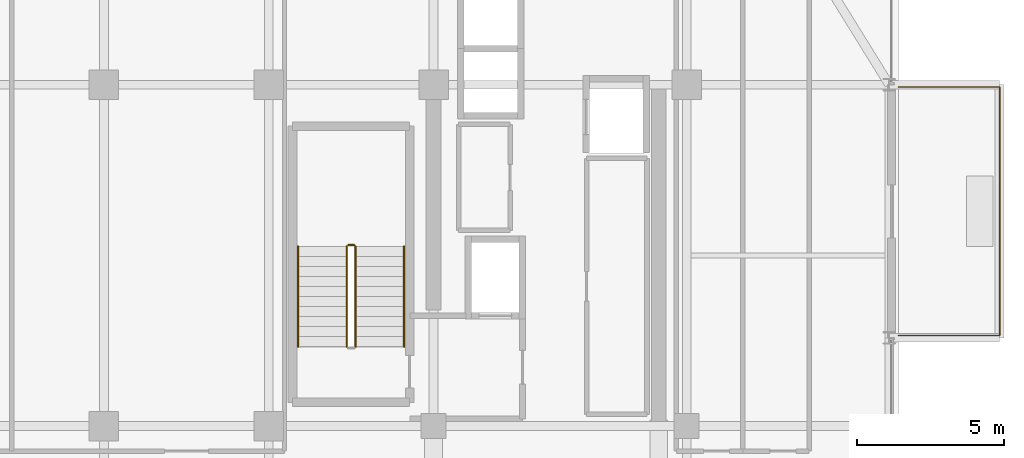
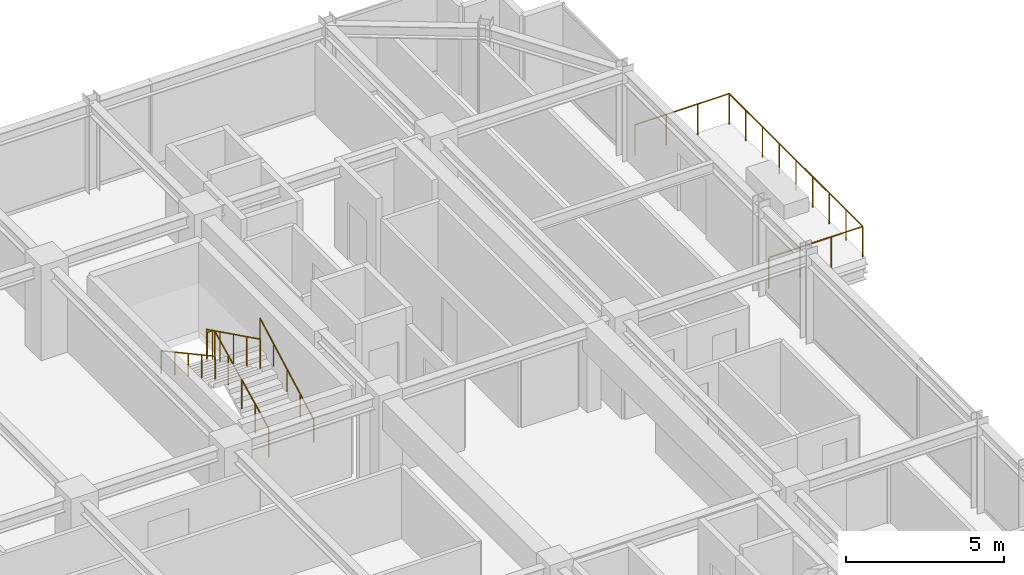
# One storey, part 33 of 34: 6 railings.
"""IFC4 building model written with IfcOpenShell, lengths in metres."""

from ifc_helpers import new_model, si_unit, direction, frame, origin, origin_2d, place, context, subcontext, project, spatial, circle, extrude, material, type_object, element, save


model = new_model("IFC4")

# Units and contexts
model_context = context("Model", 3, precision=1e-05, world=origin(), true_north=direction((0.0, 1.0)))
body_context = subcontext(model_context, "Body", "Model", "MODEL_VIEW")
ifc_project = project(units=[si_unit("LENGTHUNIT", "METRE"), si_unit("AREAUNIT", "SQUARE_METRE"), si_unit("VOLUMEUNIT", "CUBIC_METRE"), si_unit("PLANEANGLEUNIT", "RADIAN"), si_unit("MASSUNIT", "GRAM", prefix="KILO")], contexts=[model_context])

# Site, building, storey
site_placement = place(None, origin())
site = spatial("IfcSite", under=ifc_project, at=site_placement, CompositionType="ELEMENT")
building_placement = place(site_placement, origin())
building = spatial("IfcBuilding", under=site, at=building_placement, Name="Nahalor Promenade Grand Hotel", CompositionType="ELEMENT")
storey_placement = place(building_placement, frame((0.0, 0.0, 238.199951171875)))
storey = spatial("IfcBuildingStorey", under=building, at=storey_placement, Name="L61", CompositionType="ELEMENT", Elevation=238.199951171875)

# Railings
ifc_material_1 = material(Name="Anodised Bronze Aluminium EN AW-6063 T6", Category="aluminium")
railing_type_1 = type_object("IfcRailingType", Name="Bronze Balcony Guardrail 1200 mm", PredefinedType="GUARDRAIL", material=ifc_material_1)
railing_1_placement = place(storey_placement, frame((24.199951171875, 8.47998046875, 0.0)))
element("IfcRailing", 1, at=railing_1_placement, inside=storey, type_object=railing_type_1, Name="L61 Balcony Guardrail 2", PredefinedType="GUARDRAIL", context=body_context, shape_type="SweptSolid", body=[
    extrude(circle(Radius=0.024048, at=origin_2d()), frame((0.0, 0.0, 1.17578125), z_axis=(1.0, 0.0, 0.0), x_axis=(0.0, 1.0, 0.0)), (0.0, 0.0, 1.0), 3.427978515625),
    extrude(circle(Radius=0.024048, at=origin_2d()), frame((3.429931640625, 0.001953125, 1.17578125), z_axis=(0.0, 1.0, 0.0), x_axis=(-1.0, 0.0, 0.0)), (0.0, 0.0, 1.0), 8.43603515625),
    extrude(circle(Radius=0.024048, at=origin_2d()), frame((3.427978515625, 8.43994140625, 1.17578125), z_axis=(-1.0, 0.0, 0.0), x_axis=(0.0, -1.0, 0.0)), (0.0, 0.0, 1.0), 3.427978515625),
    extrude(circle(Radius=0.020996, at=origin_2d()), origin(), (0.0, 0.0, 1.0), 1.14990234375),
    extrude(circle(Radius=0.020996, at=origin_2d()), frame((1.143310546875, 0.0, 0.0)), (0.0, 0.0, 1.0), 1.14990234375),
    extrude(circle(Radius=0.020996, at=origin_2d()), frame((2.28662109375, 0.0, 0.0)), (0.0, 0.0, 1.0), 1.14990234375),
    extrude(circle(Radius=0.020996, at=origin_2d()), frame((3.429931640625, 0.0, 0.0)), (0.0, 0.0, 1.0), 1.14990234375),
    extrude(circle(Radius=0.020996, at=origin_2d()), frame((3.429931640625, 1.054931640625, 0.0)), (0.0, 0.0, 1.0), 1.14990234375),
    extrude(circle(Radius=0.020996, at=origin_2d()), frame((3.429931640625, 2.10986328125, 0.0)), (0.0, 0.0, 1.0), 1.14990234375),
    extrude(circle(Radius=0.020996, at=origin_2d()), frame((3.429931640625, 3.1650390625, 0.0)), (0.0, 0.0, 1.0), 1.14990234375),
    extrude(circle(Radius=0.020996, at=origin_2d()), frame((3.429931640625, 4.219970703125, 0.0)), (0.0, 0.0, 1.0), 1.14990234375),
    extrude(circle(Radius=0.020996, at=origin_2d()), frame((3.429931640625, 5.27490234375, 0.0)), (0.0, 0.0, 1.0), 1.14990234375),
    extrude(circle(Radius=0.020996, at=origin_2d()), frame((3.429931640625, 6.330078125, 0.0)), (0.0, 0.0, 1.0), 1.14990234375),
    extrude(circle(Radius=0.020996, at=origin_2d()), frame((3.429931640625, 7.385009765625, 0.0)), (0.0, 0.0, 1.0), 1.14990234375),
    extrude(circle(Radius=0.020996, at=origin_2d()), frame((3.429931640625, 8.43994140625, 0.0)), (0.0, 0.0, 1.0), 1.14990234375),
    extrude(circle(Radius=0.020996, at=origin_2d()), frame((2.28662109375, 8.43994140625, 0.0)), (0.0, 0.0, 1.0), 1.14990234375),
    extrude(circle(Radius=0.020996, at=origin_2d()), frame((1.143310546875, 8.43994140625, 0.0)), (0.0, 0.0, 1.0), 1.14990234375),
    extrude(circle(Radius=0.020996, at=origin_2d()), frame((0.0, 8.43994140625, 0.0)), (0.0, 0.0, 1.0), 1.14990234375),
])
ifc_material_2 = material(Name="Steel S355JR", Category="steel")
railing_type_2 = type_object("IfcRailingType", Name="Steel Stair Guardrail 1150 mm", PredefinedType="GUARDRAIL", material=ifc_material_2)
railing_2_placement = place(storey_placement, frame((5.75, 8.10009765625, 0.168212890625)))
element("IfcRailing", 2, at=railing_2_placement, inside=storey, type_object=railing_type_2, Name="L61 ST1 stair guard 1", PredefinedType="GUARDRAIL", context=body_context, shape_type="SweptSolid", body=[
    extrude(circle(Radius=0.024048, at=origin_2d()), frame((0.0, 0.0, 1.1259765625), z_axis=(0.0, 0.896324230515, 0.443399226197), x_axis=(-1.0, 0.0, 0.0)), (0.0, 0.0, 1.0), 3.793212890625),
    extrude(circle(Radius=0.020996, at=origin_2d()), origin(), (0.0, 0.0, 1.0), 1.099853515625),
    extrude(circle(Radius=0.020996, at=origin_2d()), frame((0.0, 0.85009765625, 0.42041015625)), (0.0, 0.0, 1.0), 1.099853515625),
    extrude(circle(Radius=0.020996, at=origin_2d()), frame((0.0, 1.699951171875, 0.8408203125)), (0.0, 0.0, 1.0), 1.099853515625),
    extrude(circle(Radius=0.020996, at=origin_2d()), frame((0.0, 2.5498046875, 1.261474609375)), (0.0, 0.0, 1.0), 1.099853515625),
    extrude(circle(Radius=0.020996, at=origin_2d()), frame((0.0, 3.39990234375, 1.681884765625)), (0.0, 0.0, 1.0), 1.099853515625),
])
railing_3_placement = place(storey_placement, frame((5.699951171875, 11.550048828125, 1.85009765625)))
element("IfcRailing", 3, at=railing_3_placement, inside=storey, type_object=railing_type_2, Name="L61 ST1 stair guard 2", PredefinedType="GUARDRAIL", context=body_context, shape_type="SweptSolid", body=[
    extrude(circle(Radius=0.024048, at=origin_2d()), frame((0.0, 0.0, 1.1259765625), z_axis=(-1.0, 0.0, 0.0), x_axis=(0.0, -1.0, 0.0)), (0.0, 0.0, 1.0), 0.199951171875),
    extrude(circle(Radius=0.020996, at=origin_2d()), origin(), (0.0, 0.0, 1.0), 1.099853515625),
    extrude(circle(Radius=0.020996, at=origin_2d()), frame((-0.199951171875, 0.0, 0.0)), (0.0, 0.0, 1.0), 1.099853515625),
])
railing_4_placement = place(storey_placement, frame((5.449951171875, 11.5, 2.018310546875)))
element("IfcRailing", 4, at=railing_4_placement, inside=storey, type_object=railing_type_2, Name="L61 ST1 stair guard 3", PredefinedType="GUARDRAIL", context=body_context, shape_type="SweptSolid", body=[
    extrude(circle(Radius=0.024048, at=origin_2d()), frame((0.0, 0.0, 1.1259765625), z_axis=(0.0, -0.896349809652, 0.44334751464), x_axis=(1.0, 0.0, 0.0)), (0.0, 0.0, 1.0), 3.79296875),
    extrude(circle(Radius=0.020996, at=origin_2d()), origin(), (0.0, 0.0, 1.0), 1.099853515625),
    extrude(circle(Radius=0.020996, at=origin_2d()), frame((0.0, -0.85009765625, 0.42041015625)), (0.0, 0.0, 1.0), 1.099853515625),
    extrude(circle(Radius=0.020996, at=origin_2d()), frame((0.0, -1.699951171875, 0.8408203125)), (0.0, 0.0, 1.0), 1.099853515625),
    extrude(circle(Radius=0.020996, at=origin_2d()), frame((0.0, -2.5498046875, 1.26123046875)), (0.0, 0.0, 1.0), 1.099853515625),
    extrude(circle(Radius=0.020996, at=origin_2d()), frame((0.0, -3.39990234375, 1.681640625)), (0.0, 0.0, 1.0), 1.099853515625),
])
railing_type_3 = type_object("IfcRailingType", Name="Steel Stair Handrail 900 mm", PredefinedType="HANDRAIL", material=ifc_material_2)
railing_5_placement = place(storey_placement, frame((7.39990234375, 8.10009765625, 0.168212890625)))
element("IfcRailing", 5, at=railing_5_placement, inside=storey, type_object=railing_type_3, Name="L61 ST1 stair handrail 1", PredefinedType="HANDRAIL", context=body_context, shape_type="SweptSolid", body=[
    extrude(circle(Radius=0.024048, at=origin_2d()), frame((0.0, 0.0, 0.8759765625), z_axis=(0.0, 0.87837241229, 0.47797688786), x_axis=(-1.0, 0.0, 0.0)), (0.0, 0.0, 1.0), 3.87060546875),
    extrude(circle(Radius=0.020996, at=origin_2d()), origin(), (0.0, 0.0, 1.0), 0.849853515625),
    extrude(circle(Radius=0.020996, at=origin_2d()), frame((0.0, 0.85009765625, 0.46240234375)), (0.0, 0.0, 1.0), 0.849853515625),
    extrude(circle(Radius=0.020996, at=origin_2d()), frame((0.0, 1.699951171875, 0.925048828125)), (0.0, 0.0, 1.0), 0.849853515625),
    extrude(circle(Radius=0.020996, at=origin_2d()), frame((0.0, 2.5498046875, 1.3876953125)), (0.0, 0.0, 1.0), 0.849853515625),
    extrude(circle(Radius=0.020996, at=origin_2d()), frame((0.0, 3.39990234375, 1.85009765625)), (0.0, 0.0, 1.0), 0.849853515625),
])
railing_6_placement = place(storey_placement, frame((3.800048828125, 11.5, 2.018310546875)))
element("IfcRailing", 6, at=railing_6_placement, inside=storey, type_object=railing_type_3, Name="L61 ST1 stair handrail 2", PredefinedType="HANDRAIL", context=body_context, shape_type="SweptSolid", body=[
    extrude(circle(Radius=0.024048, at=origin_2d()), frame((0.0, 0.0, 0.8759765625), z_axis=(0.0, -0.878398892953, 0.47792822145), x_axis=(1.0, 0.0, 0.0)), (0.0, 0.0, 1.0), 3.87060546875),
    extrude(circle(Radius=0.020996, at=origin_2d()), origin(), (0.0, 0.0, 1.0), 0.849853515625),
    extrude(circle(Radius=0.020996, at=origin_2d()), frame((0.0, -0.85009765625, 0.46240234375)), (0.0, 0.0, 1.0), 0.849853515625),
    extrude(circle(Radius=0.020996, at=origin_2d()), frame((0.0, -1.699951171875, 0.9248046875)), (0.0, 0.0, 1.0), 0.849853515625),
    extrude(circle(Radius=0.020996, at=origin_2d()), frame((0.0, -2.5498046875, 1.387451171875)), (0.0, 0.0, 1.0), 0.849853515625),
    extrude(circle(Radius=0.020996, at=origin_2d()), frame((0.0, -3.39990234375, 1.849853515625)), (0.0, 0.0, 1.0), 0.849853515625),
])

save(model, "model.ifc")
